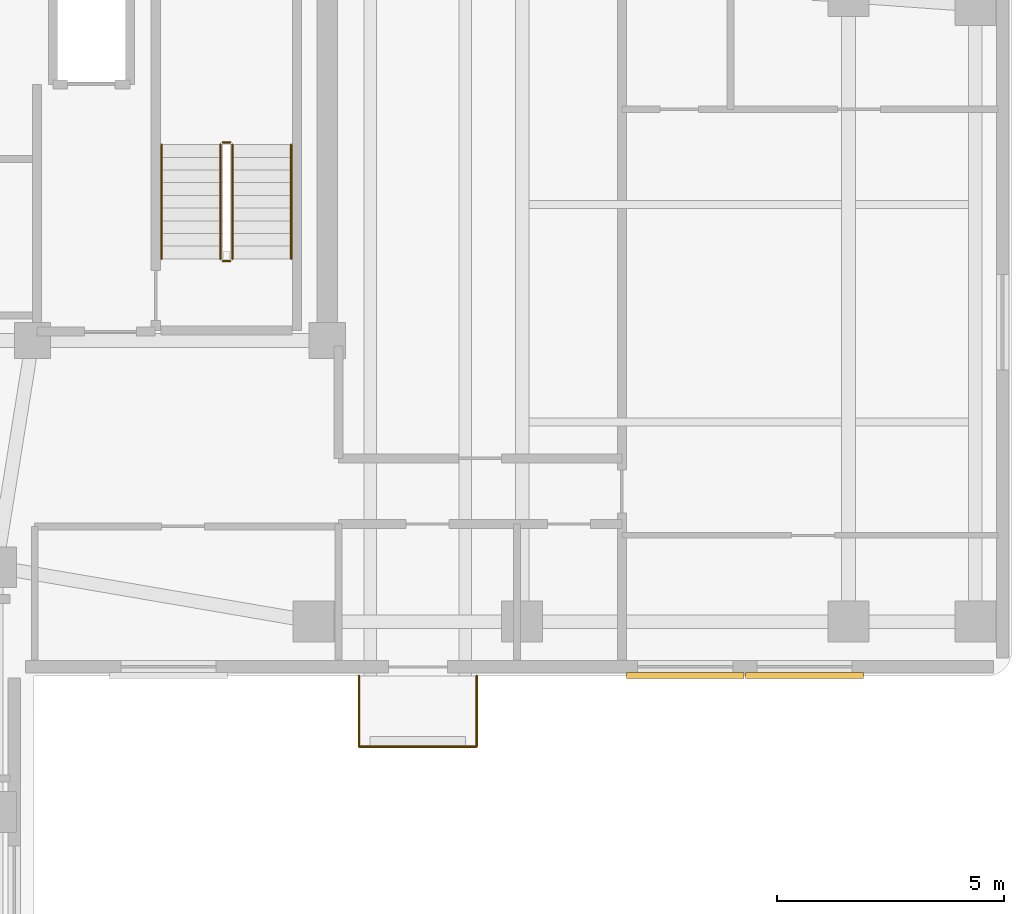
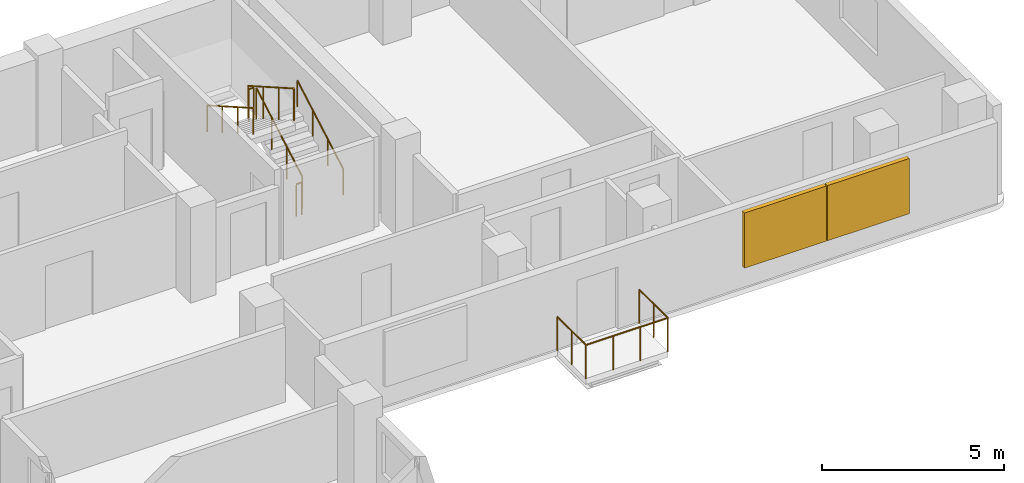
# One storey, part 6 of 6: 9 railings, 2 shading devices.
"""IFC4 building model written with IfcOpenShell, lengths in metres."""

import ifcopenshell
import ifcopenshell.guid

model = None  # the IFC model being written
_history = None  # IfcOwnerHistory: only IFC2X3 demands one
_inside = {}  # id of a spatial element -> (the spatial element, [elements in it])
_under = {}  # id of a project, library or spatial element -> (it, [spatial elements below it])
_declared = {}  # id of a project -> (the project, [libraries it declares])
_typed = {}  # id of a type object -> (the type object, [elements of that type])
_made_of = {}  # id of a material, layer set ... -> (it, [elements and type objects made of it])


def new_model(schema):
    """Start an empty IFC model of exactly this schema.

    Asked for "IFC4X3", IfcOpenShell would pick the latest addendum, in which some entities
    have other attributes; the version numbers below select the first issue.
    IFC2X3 requires an IfcOwnerHistory on every rooted entity: one is made here for all.
    """
    global model, _history
    if schema == "IFC4X3":
        model = ifcopenshell.file(schema_version=(4, 3, 0, 0))
    else:
        model = ifcopenshell.file(schema=schema)
    _inside.clear()
    _under.clear()
    _declared.clear()
    _typed.clear()
    _made_of.clear()
    _history = None
    if model.schema == "IFC2X3":
        org = make("IfcOrganization", Name="unknown")
        user = make(
            "IfcPersonAndOrganization",
            ThePerson=make("IfcPerson", FamilyName="unknown"),
            TheOrganization=org,
        )
        app = make(
            "IfcApplication",
            ApplicationDeveloper=org,
            Version="unknown",
            ApplicationFullName="unknown",
            ApplicationIdentifier="unknown",
        )
        _history = make(
            "IfcOwnerHistory",
            OwningUser=user,
            OwningApplication=app,
            ChangeAction="ADDED",
            CreationDate=0,
        )
    return model


def make(cls, **values):
    """One entity of the class cls with the attributes given. An attribute that is None is left unset."""
    return model.create_entity(
        cls, **{name: value for name, value in values.items() if value is not None}
    )


def rooted(cls, **values):
    """An entity with a GlobalId (a new one), such as an element, a storey or a relation."""
    return make(cls, GlobalId=ifcopenshell.guid.new(), OwnerHistory=_history, **values)


def si_unit(unit_type, name, prefix=None):
    """IfcSIUnit, for example si_unit("LENGTHUNIT", "METRE", prefix="MILLI")."""
    return make("IfcSIUnit", UnitType=unit_type, Prefix=prefix, Name=name)


def assignment(units):
    """IfcUnitAssignment: the units of a project."""
    return None if units is None else make("IfcUnitAssignment", Units=units)


def point(xyz):
    """IfcCartesianPoint."""
    return None if xyz is None else make("IfcCartesianPoint", Coordinates=xyz)


def direction(xyz):
    """IfcDirection."""
    return None if xyz is None else make("IfcDirection", DirectionRatios=xyz)


def frame(location, z_axis=None, x_axis=None):
    """IfcAxis2Placement3D, a coordinate frame: its origin and axes. An axis left out is left unset."""
    return make(
        "IfcAxis2Placement3D",
        Location=point(location),
        Axis=direction(z_axis),
        RefDirection=direction(x_axis),
    )


def frame_2d(location, x_axis=None):
    """IfcAxis2Placement2D, a coordinate frame in the plane: its origin and x axis."""
    return make(
        "IfcAxis2Placement2D", Location=point(location), RefDirection=direction(x_axis)
    )


def origin():
    """The frame at (0, 0, 0) with its axes left unset."""
    return frame((0.0, 0.0, 0.0))


def origin_2d():
    """The frame at (0, 0) in the plane with its x axis left unset."""
    return frame_2d((0.0, 0.0))


def place(relative_to, where):
    """IfcLocalPlacement: puts the frame where relative to a parent placement (None: the world)."""
    return make(
        "IfcLocalPlacement", PlacementRelTo=relative_to, RelativePlacement=where
    )


def context(
    kind, dimensions, precision=None, world=None, true_north=None, identifier=None
):
    """IfcGeometricRepresentationContext, for example the 3D "Model" context."""
    return make(
        "IfcGeometricRepresentationContext",
        ContextIdentifier=identifier,
        ContextType=kind,
        CoordinateSpaceDimension=dimensions,
        Precision=precision,
        WorldCoordinateSystem=world,
        TrueNorth=true_north,
    )


def subcontext(parent, identifier, kind, view, scale=None):
    """IfcGeometricRepresentationSubContext, for example "Body" below "Model"."""
    return make(
        "IfcGeometricRepresentationSubContext",
        ContextIdentifier=identifier,
        ContextType=kind,
        ParentContext=parent,
        TargetScale=scale,
        TargetView=view,
    )


def project(units=None, contexts=None):
    """IfcProject with its units and contexts."""
    return rooted(
        "IfcProject",
        Name="project",
        RepresentationContexts=contexts,
        UnitsInContext=assignment(units),
    )


def spatial(cls, under=None, at=None, **own):
    """A site, building, storey or space (cls), placed at a placement, below another one or the project."""
    s = rooted(cls, ObjectPlacement=at, **own)
    if under is not None:
        _under.setdefault(under.id(), (under, []))[1].append(s)
    return s


def profile(cls, at=None, kind="AREA", **sizes):
    """A parametric profile (cls). Its sizes go by their IFC names, for example OverallWidth=200.0."""
    return make(cls, ProfileType=kind, Position=at, **sizes)


def rectangle(**sizes):
    """IfcRectangleProfileDef."""
    return profile("IfcRectangleProfileDef", **sizes)


def circle(**sizes):
    """IfcCircleProfileDef."""
    return profile("IfcCircleProfileDef", **sizes)


def extrude(swept, where, along, depth):
    """IfcExtrudedAreaSolid: the profile swept, set in the frame where, extruded along a direction by depth."""
    return make(
        "IfcExtrudedAreaSolid",
        SweptArea=swept,
        Position=where,
        ExtrudedDirection=direction(along),
        Depth=depth,
    )


def shape(context_of_items, identifier, shape_type, items):
    """IfcShapeRepresentation: the items that make up one representation, for example the "Body"."""
    return make(
        "IfcShapeRepresentation",
        ContextOfItems=context_of_items,
        RepresentationIdentifier=identifier,
        RepresentationType=shape_type,
        Items=items,
    )


def material(Name=None, Category=None):
    """IfcMaterial."""
    return make("IfcMaterial", Name=Name, Category=Category)


def layer(
    of_material, thickness, ventilated=None, Name=None, Category=None, Priority=None
):
    """IfcMaterialLayer: one layer of a wall or slab, of a material (None: an air gap)."""
    return make(
        "IfcMaterialLayer",
        Material=of_material,
        LayerThickness=thickness,
        IsVentilated=ventilated,
        Name=Name,
        Category=Category,
        Priority=Priority,
    )


def layer_set(layers, Name=None):
    """IfcMaterialLayerSet."""
    return make("IfcMaterialLayerSet", MaterialLayers=layers, LayerSetName=Name)


def made_of(thing, what):
    """Note that an element or type object is made of a material, layer set ...; save() writes the relation."""
    if what is not None:
        _made_of.setdefault(what.id(), (what, []))[1].append(thing)
    return thing


def type_object(cls, material=None, **own):
    """A type object (cls), such as IfcWallType, which elements share."""
    return made_of(rooted(cls, **own), material)


def element(
    cls,
    number,
    at=None,
    inside=None,
    cuts=None,
    type_object=None,
    material=None,
    context=None,
    identifier="Body",
    shape_type=None,
    held_by="IfcProductDefinitionShape",
    body=None,
    shapes=None,
    **own,
):
    """One element of the class cls, such as IfcWall. Its Tag is "e" and its number.

    at: its placement. inside: the storey or other place that contains it. cuts: it is an
    opening in that element (IfcRelVoidsElement). A single representation is given by context,
    identifier, shape_type and body (its items); several are given by shapes. held_by: the class
    of the entity that holds the representations. save() writes the other relations.
    """
    e = rooted(cls, Tag="e%d" % number, ObjectPlacement=at, **own)
    if body is not None:
        shapes = [shape(context, identifier, shape_type, body)]
    if shapes is not None:
        e.Representation = make(held_by, Representations=shapes)
    if inside is not None:
        _inside.setdefault(inside.id(), (inside, []))[1].append(e)
    if cuts is not None:
        rooted(
            "IfcRelVoidsElement", RelatingBuildingElement=cuts, RelatedOpeningElement=e
        )
    if type_object is not None:
        _typed.setdefault(type_object.id(), (type_object, []))[1].append(e)
    return made_of(e, material)


def aggregate(whole, parts):
    """IfcRelAggregates: a whole, such as a stair, and the parts it consists of."""
    return rooted("IfcRelAggregates", RelatingObject=whole, RelatedObjects=parts)


def save(model, path):
    """Write the relations noted so far, then the file.

    IfcRelAggregates (storeys below a building ...), IfcRelContainedInSpatialStructure (elements
    in a storey), IfcRelDefinesByType, IfcRelAssociatesMaterial and IfcRelDeclares: one each for
    every whole, place, type object, material and project.
    """
    for whole, parts in _under.values():
        aggregate(whole, parts)
    for where, things in _inside.values():
        rooted(
            "IfcRelContainedInSpatialStructure",
            RelatedElements=things,
            RelatingStructure=where,
        )
    for kind, things in _typed.values():
        rooted("IfcRelDefinesByType", RelatedObjects=things, RelatingType=kind)
    for what, things in _made_of.values():
        rooted("IfcRelAssociatesMaterial", RelatedObjects=things, RelatingMaterial=what)
    for by, libraries in _declared.values():
        rooted("IfcRelDeclares", RelatingContext=by, RelatedDefinitions=libraries)
    model.write(path)


model = new_model("IFC4")

# Units and contexts
model_context = context("Model", 3, precision=1e-05, world=origin(), true_north=direction((0.0, 1.0)))
body_context = subcontext(model_context, "Body", "Model", "MODEL_VIEW")
ifc_project = project(units=[si_unit("LENGTHUNIT", "METRE"), si_unit("AREAUNIT", "SQUARE_METRE"), si_unit("VOLUMEUNIT", "CUBIC_METRE"), si_unit("PLANEANGLEUNIT", "RADIAN"), si_unit("MASSUNIT", "GRAM", prefix="KILO")], contexts=[model_context])

# Site, building, storey
site_placement = place(None, origin())
site = spatial("IfcSite", under=ifc_project, at=site_placement, CompositionType="ELEMENT")
building_placement = place(site_placement, origin())
building = spatial("IfcBuilding", under=site, at=building_placement, Name="Kuzgunbayir Cultural Tower", CompositionType="ELEMENT")
storey_placement = place(building_placement, frame((0.0, 0.0, 195.199951171875)))
storey = spatial("IfcBuildingStorey", under=building, at=storey_placement, Name="L57", CompositionType="ELEMENT", Elevation=195.199951171875)

# Railings
ifc_material_1 = material(Name="Laminated Glass and Stainless Steel", Category="steel")
ifc_layer_1 = layer(ifc_material_1, 0.080078125)
ifc_layer_set_1 = layer_set([ifc_layer_1], Name="Laminated Glass and Stainless Steel")
railing_type_1 = type_object("IfcRailingType", Name="RLG-BAL-115", PredefinedType="BALUSTRADE", material=ifc_layer_set_1)
railing_1_placement = place(storey_placement, frame((27.60009765625, 26.39990234375, 0.0)))
element("IfcRailing", 1, at=railing_1_placement, inside=storey, type_object=railing_type_1, Name="L57 Balcony Guard BAL-L57-WB1 Segment 1", PredefinedType="BALUSTRADE", context=body_context, shape_type="SweptSolid", body=[
    extrude(circle(Radius=0.02392578125, at=origin_2d()), frame((0.0, 0.0, 1.1259765625), z_axis=(0.0, -1.0, 0.0), x_axis=(1.0, 0.0, 0.0)), (0.0, 0.0, 1.0), 1.559814453125),
    extrude(circle(Radius=0.02099609375, at=origin_2d()), origin(), (0.0, 0.0, 1.0), 1.101806640625),
    extrude(circle(Radius=0.02099609375, at=origin_2d()), frame((0.0, -0.77978515625, 0.0)), (0.0, 0.0, 1.0), 1.101806640625),
    extrude(circle(Radius=0.02099609375, at=origin_2d()), frame((0.0, -1.559814453125, 0.0)), (0.0, 0.0, 1.0), 1.101806640625),
])
railing_2_placement = place(storey_placement, frame((27.60009765625, 24.840087890625, 0.0)))
element("IfcRailing", 2, at=railing_2_placement, inside=storey, type_object=railing_type_1, Name="L57 Balcony Guard BAL-L57-WB1 Segment 2", PredefinedType="BALUSTRADE", context=body_context, shape_type="SweptSolid", body=[
    extrude(circle(Radius=0.02392578125, at=origin_2d()), frame((0.0, 0.0, 1.1259765625), z_axis=(1.0, 0.0, 0.0), x_axis=(0.0, 1.0, 0.0)), (0.0, 0.0, 1.0), 2.599853515625),
    extrude(circle(Radius=0.02099609375, at=origin_2d()), origin(), (0.0, 0.0, 1.0), 1.101806640625),
    extrude(circle(Radius=0.02099609375, at=origin_2d()), frame((0.86669921875, 0.0, 0.0)), (0.0, 0.0, 1.0), 1.101806640625),
    extrude(circle(Radius=0.02099609375, at=origin_2d()), frame((1.733154296875, 0.0, 0.0)), (0.0, 0.0, 1.0), 1.101806640625),
    extrude(circle(Radius=0.02099609375, at=origin_2d()), frame((2.599853515625, 0.0, 0.0)), (0.0, 0.0, 1.0), 1.101806640625),
])
railing_3_placement = place(storey_placement, frame((30.199951171875, 24.840087890625, 0.0)))
element("IfcRailing", 3, at=railing_3_placement, inside=storey, type_object=railing_type_1, Name="L57 Balcony Guard BAL-L57-WB1 Segment 3", PredefinedType="BALUSTRADE", context=body_context, shape_type="SweptSolid", body=[
    extrude(circle(Radius=0.02392578125, at=origin_2d()), frame((0.0, 0.0, 1.1259765625), z_axis=(0.0, 1.0, 0.0), x_axis=(-1.0, 0.0, 0.0)), (0.0, 0.0, 1.0), 1.559814453125),
    extrude(circle(Radius=0.02099609375, at=origin_2d()), origin(), (0.0, 0.0, 1.0), 1.101806640625),
    extrude(circle(Radius=0.02099609375, at=origin_2d()), frame((0.0, 0.77978515625, 0.0)), (0.0, 0.0, 1.0), 1.101806640625),
    extrude(circle(Radius=0.02099609375, at=origin_2d()), frame((0.0, 1.559814453125, 0.0)), (0.0, 0.0, 1.0), 1.101806640625),
])
ifc_material_2 = material(Name="Brushed Stainless Steel", Category="steel")
ifc_layer_2 = layer(ifc_material_2, 0.050048828125)
ifc_layer_set_2 = layer_set([ifc_layer_2], Name="Brushed Stainless Steel")
railing_type_2 = type_object("IfcRailingType", Name="RLG-STAIR-HANDRAIL", PredefinedType="HANDRAIL", material=ifc_layer_set_2)
railing_4_placement = place(storey_placement, frame((26.110107421875, 35.60009765625, 0.16015625)))
element("IfcRailing", 4, at=railing_4_placement, inside=storey, type_object=railing_type_2, Name="L57 ST-2 stair handrail 1", PredefinedType="HANDRAIL", context=body_context, shape_type="SweptSolid", body=[
    extrude(circle(Radius=0.02392578125, at=origin_2d()), frame((0.0, 0.0, 0.8759765625), z_axis=(0.0, 0.868253494771, 0.496120820787), x_axis=(-1.0, 0.0, 0.0)), (0.0, 0.0, 1.0), 2.90234375),
    extrude(circle(Radius=0.02099609375, at=origin_2d()), origin(), (0.0, 0.0, 1.0), 0.851806640625),
    extrude(circle(Radius=0.02099609375, at=origin_2d()), frame((0.0, 0.840087890625, 0.47998046875)), (0.0, 0.0, 1.0), 0.851806640625),
    extrude(circle(Radius=0.02099609375, at=origin_2d()), frame((0.0, 1.679931640625, 0.9599609375)), (0.0, 0.0, 1.0), 0.851806640625),
    extrude(circle(Radius=0.02099609375, at=origin_2d()), frame((0.0, 2.52001953125, 1.43994140625)), (0.0, 0.0, 1.0), 0.851806640625),
])
railing_5_placement = place(storey_placement, frame((23.25, 38.1201171875, 1.760009765625)))
element("IfcRailing", 5, at=railing_5_placement, inside=storey, type_object=railing_type_2, Name="L57 ST-2 stair handrail 2", PredefinedType="HANDRAIL", context=body_context, shape_type="SweptSolid", body=[
    extrude(circle(Radius=0.02392578125, at=origin_2d()), frame((0.0, 0.0, 0.8759765625), z_axis=(0.0, -0.868253494771, 0.496120820787), x_axis=(1.0, 0.0, 0.0)), (0.0, 0.0, 1.0), 2.90234375),
    extrude(circle(Radius=0.02099609375, at=origin_2d()), origin(), (0.0, 0.0, 1.0), 0.851806640625),
    extrude(circle(Radius=0.02099609375, at=origin_2d()), frame((0.0, -0.840087890625, 0.47998046875)), (0.0, 0.0, 1.0), 0.851806640625),
    extrude(circle(Radius=0.02099609375, at=origin_2d()), frame((0.0, -1.679931640625, 0.9599609375)), (0.0, 0.0, 1.0), 0.851806640625),
    extrude(circle(Radius=0.02099609375, at=origin_2d()), frame((0.0, -2.52001953125, 1.43994140625)), (0.0, 0.0, 1.0), 0.851806640625),
])
ifc_material_3 = material(Name="Painted Steel Balustrade", Category="steel")
ifc_layer_3 = layer(ifc_material_3, 0.06005859375)
ifc_layer_set_3 = layer_set([ifc_layer_3], Name="Painted Steel Balustrade")
railing_type_3 = type_object("IfcRailingType", Name="RLG-WELL-GUARD", PredefinedType="GUARDRAIL", material=ifc_layer_set_3)
railing_6_placement = place(storey_placement, frame((24.81005859375, 35.60009765625, 0.16015625)))
element("IfcRailing", 6, at=railing_6_placement, inside=storey, type_object=railing_type_3, Name="L57 ST-2 stair guard 1", PredefinedType="GUARDRAIL", context=body_context, shape_type="SweptSolid", body=[
    extrude(circle(Radius=0.02392578125, at=origin_2d()), frame((0.0, 0.0, 1.076171875), z_axis=(0.0, 0.868253494771, 0.496120820787), x_axis=(-1.0, 0.0, 0.0)), (0.0, 0.0, 1.0), 2.90234375),
    extrude(circle(Radius=0.02099609375, at=origin_2d()), origin(), (0.0, 0.0, 1.0), 1.052001953125),
    extrude(circle(Radius=0.02099609375, at=origin_2d()), frame((0.0, 0.840087890625, 0.47998046875)), (0.0, 0.0, 1.0), 1.052001953125),
    extrude(circle(Radius=0.02099609375, at=origin_2d()), frame((0.0, 1.679931640625, 0.9599609375)), (0.0, 0.0, 1.0), 1.052001953125),
    extrude(circle(Radius=0.02099609375, at=origin_2d()), frame((0.0, 2.52001953125, 1.43994140625)), (0.0, 0.0, 1.0), 1.052001953125),
])
railing_7_placement = place(storey_placement, frame((24.760009765625, 38.169921875, 1.60009765625)))
element("IfcRailing", 7, at=railing_7_placement, inside=storey, type_object=railing_type_3, Name="L57 ST-2 stair guard 2", PredefinedType="GUARDRAIL", context=body_context, shape_type="SweptSolid", body=[
    extrude(circle(Radius=0.02392578125, at=origin_2d()), frame((0.0, 0.0, 1.076171875), z_axis=(-1.0, 0.0, 0.0), x_axis=(0.0, -1.0, 0.0)), (0.0, 0.0, 1.0), 0.159912109375),
    extrude(circle(Radius=0.02099609375, at=origin_2d()), origin(), (0.0, 0.0, 1.0), 1.052001953125),
    extrude(circle(Radius=0.02099609375, at=origin_2d()), frame((-0.159912109375, 0.0, 0.0)), (0.0, 0.0, 1.0), 1.052001953125),
])
railing_8_placement = place(storey_placement, frame((24.550048828125, 38.1201171875, 1.760009765625)))
element("IfcRailing", 8, at=railing_8_placement, inside=storey, type_object=railing_type_3, Name="L57 ST-2 stair guard 3", PredefinedType="GUARDRAIL", context=body_context, shape_type="SweptSolid", body=[
    extrude(circle(Radius=0.02392578125, at=origin_2d()), frame((0.0, 0.0, 1.076171875), z_axis=(0.0, -0.868253494771, 0.496120820787), x_axis=(1.0, 0.0, 0.0)), (0.0, 0.0, 1.0), 2.90234375),
    extrude(circle(Radius=0.02099609375, at=origin_2d()), origin(), (0.0, 0.0, 1.0), 1.052001953125),
    extrude(circle(Radius=0.02099609375, at=origin_2d()), frame((0.0, -0.840087890625, 0.47998046875)), (0.0, 0.0, 1.0), 1.052001953125),
    extrude(circle(Radius=0.02099609375, at=origin_2d()), frame((0.0, -1.679931640625, 0.9599609375)), (0.0, 0.0, 1.0), 1.052001953125),
    extrude(circle(Radius=0.02099609375, at=origin_2d()), frame((0.0, -2.52001953125, 1.43994140625)), (0.0, 0.0, 1.0), 1.052001953125),
])
railing_9_placement = place(storey_placement, frame((24.760009765625, 35.550048828125, 0.0)))
element("IfcRailing", 9, at=railing_9_placement, inside=storey, type_object=railing_type_3, Name="L57 ST-2 stair guard 4", PredefinedType="GUARDRAIL", context=body_context, shape_type="SweptSolid", body=[
    extrude(circle(Radius=0.02392578125, at=origin_2d()), frame((0.0, 0.0, 1.076171875), z_axis=(-1.0, 0.0, 0.0), x_axis=(0.0, -1.0, 0.0)), (0.0, 0.0, 1.0), 0.159912109375),
    extrude(circle(Radius=0.02099609375, at=origin_2d()), origin(), (0.0, 0.0, 1.0), 1.052001953125),
    extrude(circle(Radius=0.02099609375, at=origin_2d()), frame((-0.159912109375, 0.0, 0.0)), (0.0, 0.0, 1.0), 1.052001953125),
])

# Shading devices
ifc_material_4 = material(Name="Perforated Bronze-Anodised Aluminium", Category="aluminium")
shading_device_type = type_object("IfcShadingDeviceType", Name="SHD-SOLAR-BRONZE", PredefinedType="JALOUSIE", material=ifc_material_4)
for number, where, z_axis, x_axis, name in (
    (10, (37.429931640625, 26.409912109375, 0.72509765625), (0.0, 0.0, 1.0), (1.0, 0.0, 0.0), "L57 Solar Screen WBS7"),
    (11, (34.800048828125, 26.409912109375, 0.72509765625), (0.0, 0.0, 1.0), (1.0, 0.0, 0.0), "L57 Solar Screen WBS16"),
):
    element("IfcShadingDevice", number, at=place(storey_placement, frame(where, z_axis=z_axis, x_axis=x_axis)), inside=storey, type_object=shading_device_type, Name=name, PredefinedType="JALOUSIE", context=body_context, shape_type="SweptSolid", body=[
        extrude(rectangle(XDim=2.60009765625, YDim=0.139892578125, at=origin_2d()), origin(), (0.0, 0.0, 1.0), 1.85009765625),
    ])

save(model, "model.ifc")
